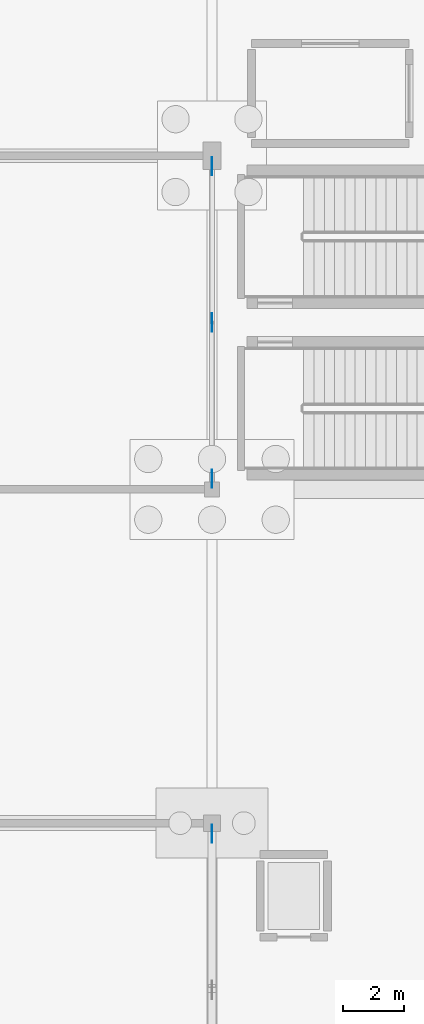
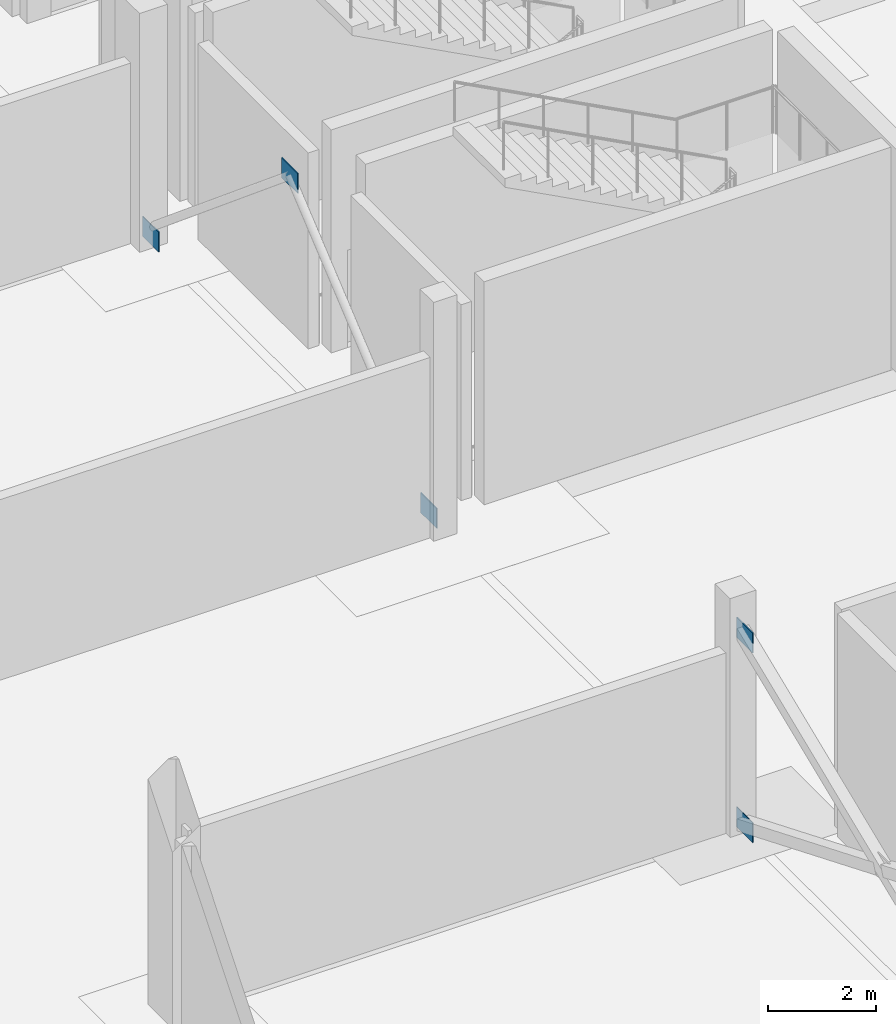
# One storey, part 26 of 60: 5 plates.
"""IFC4 building model written with IfcOpenShell, lengths in metres."""

from ifc_helpers import new_model, si_unit, direction, frame, origin, origin_2d, place, context, subcontext, project, spatial, rectangle, extrude, material, layer, layer_set, type_object, element, save


model = new_model("IFC4")

# Units and contexts
model_context = context("Model", 3, precision=1e-05, world=origin(), true_north=direction((0.0, 1.0)))
body_context = subcontext(model_context, "Body", "Model", "MODEL_VIEW")
ifc_project = project(units=[si_unit("LENGTHUNIT", "METRE"), si_unit("AREAUNIT", "SQUARE_METRE"), si_unit("VOLUMEUNIT", "CUBIC_METRE"), si_unit("PLANEANGLEUNIT", "RADIAN"), si_unit("MASSUNIT", "GRAM", prefix="KILO")], contexts=[model_context])

# Site, building, storey
site_placement = place(None, origin())
site = spatial("IfcSite", under=ifc_project, at=site_placement, CompositionType="ELEMENT")
building_placement = place(site_placement, origin())
building = spatial("IfcBuilding", under=site, at=building_placement, Name="Luwafu Chhajja Arena", CompositionType="ELEMENT")
storey_placement = place(building_placement, frame((0.0, 0.0, -5.39990234375)))
storey = spatial("IfcBuildingStorey", under=building, at=storey_placement, Name="B1", CompositionType="ELEMENT", Elevation=-5.39990234375)

# Plates
ifc_material = material(Name="Steel S355", Category="steel")
ifc_layer = layer(ifc_material, 0.02197265625, Name="Steel S355")
ifc_layer_set = layer_set([ifc_layer], Name="Steel S355")
plate_type = type_object("IfcPlateType", Name="Lateral Brace Gusset Plate BN-1", PredefinedType="USERDEFINED", material=ifc_layer_set)
for number, where, z_axis, x_axis, name in (
    (1, (34.0, 82.5, 4.47509765625), (0.0, 0.0, 1.0), (1.0, 0.0, 0.0), "B1 Chevron Apex Gusset Plate BN-1 11"),
    (2, (34.0, 77.35009765625, 0.02490234375), (0.0, 0.0, 1.0), (1.0, 0.0, 0.0), "B1 Brace Base Gusset BN-1 11A"),
    (3, (34.0, 87.64990234375, 0.02490234375), (0.0, 0.0, 1.0), (1.0, 0.0, 0.0), "B1 Brace Base Gusset BN-1 11B"),
    (4, (34.0, 65.64990234375, 0.01513671875), (0.0, 0.0, 1.0), (1.0, 0.0, 0.0), "B1 X-Brace Corner Gusset BN-1 01BR"),
    (5, (34.0, 65.64990234375, 4.3046875), (0.0, 0.0, 1.0), (1.0, 0.0, 0.0), "B1 X-Brace Corner Gusset BN-1 01TR"),
):
    element("IfcPlate", number, at=place(storey_placement, frame(where, z_axis=z_axis, x_axis=x_axis)), inside=storey, type_object=plate_type, Name=name, ObjectType="GUSSET PLATE", PredefinedType="USERDEFINED", context=body_context, shape_type="SweptSolid", body=[
        extrude(rectangle(XDim=0.02197265625, YDim=0.60009765625, at=origin_2d()), origin(), (0.0, 0.0, 1.0), 0.449951171875),
    ])

save(model, "model.ifc")
